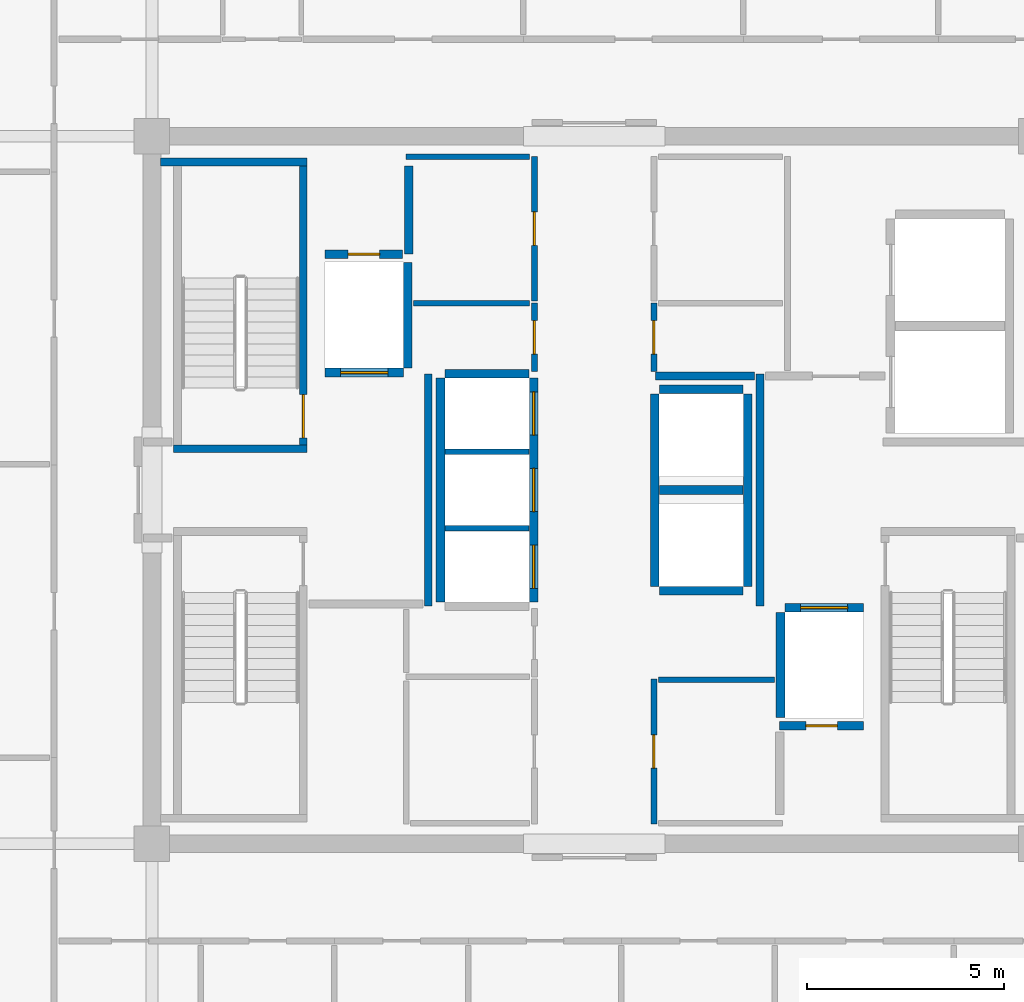
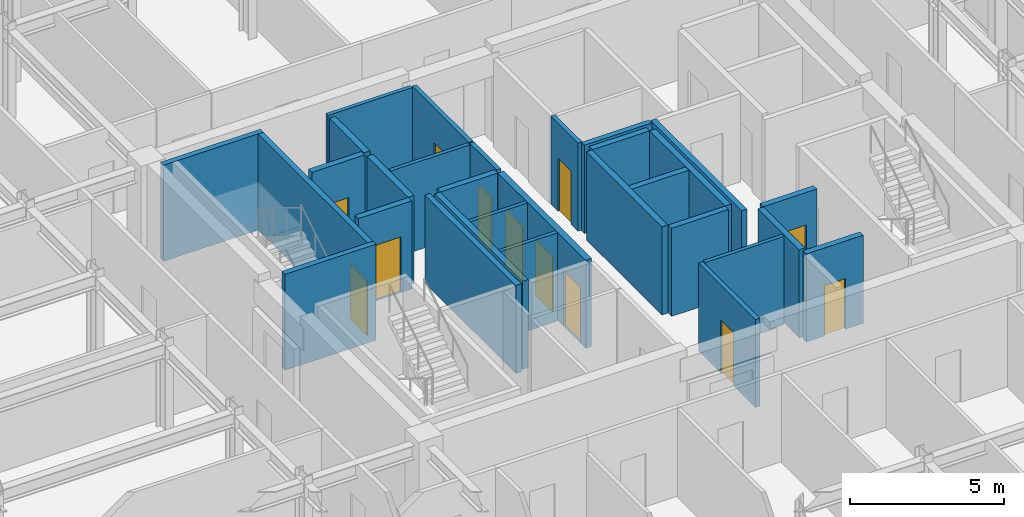
# One storey, part 14 of 18: 30 walls, 12 doors, 12 openings.
"""IFC4 building model written with IfcOpenShell, lengths in metres."""

import ifcopenshell
import ifcopenshell.guid

model = None  # the IFC model being written
_history = None  # IfcOwnerHistory: only IFC2X3 demands one
_inside = {}  # id of a spatial element -> (the spatial element, [elements in it])
_under = {}  # id of a project, library or spatial element -> (it, [spatial elements below it])
_declared = {}  # id of a project -> (the project, [libraries it declares])
_typed = {}  # id of a type object -> (the type object, [elements of that type])
_made_of = {}  # id of a material, layer set ... -> (it, [elements and type objects made of it])


def new_model(schema):
    """Start an empty IFC model of exactly this schema.

    Asked for "IFC4X3", IfcOpenShell would pick the latest addendum, in which some entities
    have other attributes; the version numbers below select the first issue.
    IFC2X3 requires an IfcOwnerHistory on every rooted entity: one is made here for all.
    """
    global model, _history
    if schema == "IFC4X3":
        model = ifcopenshell.file(schema_version=(4, 3, 0, 0))
    else:
        model = ifcopenshell.file(schema=schema)
    _inside.clear()
    _under.clear()
    _declared.clear()
    _typed.clear()
    _made_of.clear()
    _history = None
    if model.schema == "IFC2X3":
        org = make("IfcOrganization", Name="unknown")
        user = make(
            "IfcPersonAndOrganization",
            ThePerson=make("IfcPerson", FamilyName="unknown"),
            TheOrganization=org,
        )
        app = make(
            "IfcApplication",
            ApplicationDeveloper=org,
            Version="unknown",
            ApplicationFullName="unknown",
            ApplicationIdentifier="unknown",
        )
        _history = make(
            "IfcOwnerHistory",
            OwningUser=user,
            OwningApplication=app,
            ChangeAction="ADDED",
            CreationDate=0,
        )
    return model


def make(cls, **values):
    """One entity of the class cls with the attributes given. An attribute that is None is left unset."""
    return model.create_entity(
        cls, **{name: value for name, value in values.items() if value is not None}
    )


def rooted(cls, **values):
    """An entity with a GlobalId (a new one), such as an element, a storey or a relation."""
    return make(cls, GlobalId=ifcopenshell.guid.new(), OwnerHistory=_history, **values)


def si_unit(unit_type, name, prefix=None):
    """IfcSIUnit, for example si_unit("LENGTHUNIT", "METRE", prefix="MILLI")."""
    return make("IfcSIUnit", UnitType=unit_type, Prefix=prefix, Name=name)


def assignment(units):
    """IfcUnitAssignment: the units of a project."""
    return None if units is None else make("IfcUnitAssignment", Units=units)


def point(xyz):
    """IfcCartesianPoint."""
    return None if xyz is None else make("IfcCartesianPoint", Coordinates=xyz)


def direction(xyz):
    """IfcDirection."""
    return None if xyz is None else make("IfcDirection", DirectionRatios=xyz)


def frame(location, z_axis=None, x_axis=None):
    """IfcAxis2Placement3D, a coordinate frame: its origin and axes. An axis left out is left unset."""
    return make(
        "IfcAxis2Placement3D",
        Location=point(location),
        Axis=direction(z_axis),
        RefDirection=direction(x_axis),
    )


def frame_2d(location, x_axis=None):
    """IfcAxis2Placement2D, a coordinate frame in the plane: its origin and x axis."""
    return make(
        "IfcAxis2Placement2D", Location=point(location), RefDirection=direction(x_axis)
    )


def origin():
    """The frame at (0, 0, 0) with its axes left unset."""
    return frame((0.0, 0.0, 0.0))


def place(relative_to, where):
    """IfcLocalPlacement: puts the frame where relative to a parent placement (None: the world)."""
    return make(
        "IfcLocalPlacement", PlacementRelTo=relative_to, RelativePlacement=where
    )


def context(
    kind, dimensions, precision=None, world=None, true_north=None, identifier=None
):
    """IfcGeometricRepresentationContext, for example the 3D "Model" context."""
    return make(
        "IfcGeometricRepresentationContext",
        ContextIdentifier=identifier,
        ContextType=kind,
        CoordinateSpaceDimension=dimensions,
        Precision=precision,
        WorldCoordinateSystem=world,
        TrueNorth=true_north,
    )


def subcontext(parent, identifier, kind, view, scale=None):
    """IfcGeometricRepresentationSubContext, for example "Body" below "Model"."""
    return make(
        "IfcGeometricRepresentationSubContext",
        ContextIdentifier=identifier,
        ContextType=kind,
        ParentContext=parent,
        TargetScale=scale,
        TargetView=view,
    )


def project(units=None, contexts=None):
    """IfcProject with its units and contexts."""
    return rooted(
        "IfcProject",
        Name="project",
        RepresentationContexts=contexts,
        UnitsInContext=assignment(units),
    )


def spatial(cls, under=None, at=None, **own):
    """A site, building, storey or space (cls), placed at a placement, below another one or the project."""
    s = rooted(cls, ObjectPlacement=at, **own)
    if under is not None:
        _under.setdefault(under.id(), (under, []))[1].append(s)
    return s


def profile(cls, at=None, kind="AREA", **sizes):
    """A parametric profile (cls). Its sizes go by their IFC names, for example OverallWidth=200.0."""
    return make(cls, ProfileType=kind, Position=at, **sizes)


def rectangle(**sizes):
    """IfcRectangleProfileDef."""
    return profile("IfcRectangleProfileDef", **sizes)


def extrude(swept, where, along, depth):
    """IfcExtrudedAreaSolid: the profile swept, set in the frame where, extruded along a direction by depth."""
    return make(
        "IfcExtrudedAreaSolid",
        SweptArea=swept,
        Position=where,
        ExtrudedDirection=direction(along),
        Depth=depth,
    )


def shape(context_of_items, identifier, shape_type, items):
    """IfcShapeRepresentation: the items that make up one representation, for example the "Body"."""
    return make(
        "IfcShapeRepresentation",
        ContextOfItems=context_of_items,
        RepresentationIdentifier=identifier,
        RepresentationType=shape_type,
        Items=items,
    )


def source(mapping_origin, context_of_items, identifier, shape_type, items):
    """IfcRepresentationMap: a shape defined once, which mapped items show again and again."""
    return make(
        "IfcRepresentationMap",
        MappingOrigin=mapping_origin,
        MappedRepresentation=shape(context_of_items, identifier, shape_type, items),
    )


def transform(
    local_origin,
    x_axis=None,
    y_axis=None,
    z_axis=None,
    scale=None,
    scale2=None,
    scale3=None,
    uniform=True,
):
    """IfcCartesianTransformationOperator3D, or its non-uniform kind. x_axis, y_axis, z_axis: its Axis1, 2, 3."""
    if uniform:
        return make(
            "IfcCartesianTransformationOperator3D",
            Axis1=direction(x_axis),
            Axis2=direction(y_axis),
            LocalOrigin=point(local_origin),
            Scale=scale,
            Axis3=direction(z_axis),
        )
    return make(
        "IfcCartesianTransformationOperator3DnonUniform",
        Axis1=direction(x_axis),
        Axis2=direction(y_axis),
        LocalOrigin=point(local_origin),
        Scale=scale,
        Axis3=direction(z_axis),
        Scale2=scale2,
        Scale3=scale3,
    )


def mapped(mapping_source, mapping_target):
    """IfcMappedItem: shows the shape of a source again, moved by a transform."""
    return make(
        "IfcMappedItem", MappingSource=mapping_source, MappingTarget=mapping_target
    )


def material(Name=None, Category=None):
    """IfcMaterial."""
    return make("IfcMaterial", Name=Name, Category=Category)


def layer(
    of_material, thickness, ventilated=None, Name=None, Category=None, Priority=None
):
    """IfcMaterialLayer: one layer of a wall or slab, of a material (None: an air gap)."""
    return make(
        "IfcMaterialLayer",
        Material=of_material,
        LayerThickness=thickness,
        IsVentilated=ventilated,
        Name=Name,
        Category=Category,
        Priority=Priority,
    )


def layer_set(layers, Name=None):
    """IfcMaterialLayerSet."""
    return make("IfcMaterialLayerSet", MaterialLayers=layers, LayerSetName=Name)


def made_of(thing, what):
    """Note that an element or type object is made of a material, layer set ...; save() writes the relation."""
    if what is not None:
        _made_of.setdefault(what.id(), (what, []))[1].append(thing)
    return thing


def type_object(cls, material=None, **own):
    """A type object (cls), such as IfcWallType, which elements share."""
    return made_of(rooted(cls, **own), material)


def element(
    cls,
    number,
    at=None,
    inside=None,
    cuts=None,
    type_object=None,
    material=None,
    context=None,
    identifier="Body",
    shape_type=None,
    held_by="IfcProductDefinitionShape",
    body=None,
    shapes=None,
    **own,
):
    """One element of the class cls, such as IfcWall. Its Tag is "e" and its number.

    at: its placement. inside: the storey or other place that contains it. cuts: it is an
    opening in that element (IfcRelVoidsElement). A single representation is given by context,
    identifier, shape_type and body (its items); several are given by shapes. held_by: the class
    of the entity that holds the representations. save() writes the other relations.
    """
    e = rooted(cls, Tag="e%d" % number, ObjectPlacement=at, **own)
    if body is not None:
        shapes = [shape(context, identifier, shape_type, body)]
    if shapes is not None:
        e.Representation = make(held_by, Representations=shapes)
    if inside is not None:
        _inside.setdefault(inside.id(), (inside, []))[1].append(e)
    if cuts is not None:
        rooted(
            "IfcRelVoidsElement", RelatingBuildingElement=cuts, RelatedOpeningElement=e
        )
    if type_object is not None:
        _typed.setdefault(type_object.id(), (type_object, []))[1].append(e)
    return made_of(e, material)


def fill(opening, filler):
    """IfcRelFillsElement: the door or window that sits in an opening."""
    return rooted(
        "IfcRelFillsElement",
        RelatingOpeningElement=opening,
        RelatedBuildingElement=filler,
    )


def aggregate(whole, parts):
    """IfcRelAggregates: a whole, such as a stair, and the parts it consists of."""
    return rooted("IfcRelAggregates", RelatingObject=whole, RelatedObjects=parts)


def save(model, path):
    """Write the relations noted so far, then the file.

    IfcRelAggregates (storeys below a building ...), IfcRelContainedInSpatialStructure (elements
    in a storey), IfcRelDefinesByType, IfcRelAssociatesMaterial and IfcRelDeclares: one each for
    every whole, place, type object, material and project.
    """
    for whole, parts in _under.values():
        aggregate(whole, parts)
    for where, things in _inside.values():
        rooted(
            "IfcRelContainedInSpatialStructure",
            RelatedElements=things,
            RelatingStructure=where,
        )
    for kind, things in _typed.values():
        rooted("IfcRelDefinesByType", RelatedObjects=things, RelatingType=kind)
    for what, things in _made_of.values():
        rooted("IfcRelAssociatesMaterial", RelatedObjects=things, RelatingMaterial=what)
    for by, libraries in _declared.values():
        rooted("IfcRelDeclares", RelatingContext=by, RelatedDefinitions=libraries)
    model.write(path)


model = new_model("IFC4")

# Units and contexts
model_context = context("Model", 3, precision=1e-05, world=origin(), true_north=direction((0.0, 1.0)))
body_context = subcontext(model_context, "Body", "Model", "MODEL_VIEW")
ifc_project = project(units=[si_unit("LENGTHUNIT", "METRE"), si_unit("AREAUNIT", "SQUARE_METRE"), si_unit("VOLUMEUNIT", "CUBIC_METRE"), si_unit("PLANEANGLEUNIT", "RADIAN"), si_unit("MASSUNIT", "GRAM", prefix="KILO")], contexts=[model_context])

# Site, building, storey
site_placement = place(None, origin())
site = spatial("IfcSite", under=ifc_project, at=site_placement, CompositionType="ELEMENT")
building_placement = place(site_placement, origin())
building = spatial("IfcBuilding", under=site, at=building_placement, Name="Nefas-Gora Pilgrimage Tower", CompositionType="ELEMENT")
storey_placement = place(building_placement, frame((0.0, 0.0, 314.0)))
storey = spatial("IfcBuildingStorey", under=building, at=storey_placement, Name="L79", CompositionType="ELEMENT", Elevation=314.0)

# Wall
ifc_material_1 = material(Name="Concrete C45/55", Category="concrete")
ifc_layer_1 = layer(ifc_material_1, 0.199951171875)
ifc_layer_set_1 = layer_set([ifc_layer_1], Name="Concrete C45/55")
wall_type_1 = type_object("IfcWallType", Name="IW-STAIR-200", PredefinedType="SOLIDWALL", material=ifc_layer_set_1)
shared_shape_1 = source(origin(), body_context, "Body", "SweptSolid", [
    extrude(rectangle(XDim=3.39990234375, YDim=0.199951171875, at=frame_2d((1.699951171875, 0.0))), origin(), (0.0, 0.0, 1.0), 3.800048828125),
])
wall_1_placement = place(storey_placement, frame((-7.300048828125, 1.050048828125, 0.0), z_axis=(0.0, 0.0, 1.0), x_axis=(-1.0, 0.0, 0.0)))
element("IfcWall", 1, at=wall_1_placement, inside=storey, type_object=wall_type_1, Name="L79 Stairwell Shear Wall ST-01-near", PredefinedType="SOLIDWALL", context=body_context, shape_type="MappedRepresentation", body=[
    mapped(shared_shape_1, transform((0.0, 0.0, 0.0), x_axis=(1.0, 0.0, 0.0), y_axis=(0.0, 1.0, 0.0), z_axis=(0.0, 0.0, 1.0), scale=1.0)),
])

# Wall, opening, door
shared_shape_2 = source(origin(), body_context, "Body", "SweptSolid", [
    extrude(rectangle(XDim=7.10009765625, YDim=0.199951171875, at=frame_2d((3.550048828125, 0.0))), origin(), (0.0, 0.0, 1.0), 3.800048828125),
])
wall_2_placement = place(storey_placement, frame((-7.39990234375, 1.14990234375, 0.0), z_axis=(0.0, 0.0, 1.0), x_axis=(0.0, 1.0, 0.0)))
wall_2 = element("IfcWall", 2, at=wall_2_placement, inside=storey, type_object=wall_type_1, Name="L79 Stairwell Shear Wall ST-01-left", PredefinedType="SOLIDWALL", context=body_context, shape_type="MappedRepresentation", body=[
    mapped(shared_shape_2, transform((0.0, 0.0, 0.0), x_axis=(1.0, 0.0, 0.0), y_axis=(0.0, 1.0, 0.0), z_axis=(0.0, 0.0, 1.0), scale=1.0)),
])
opening_1_placement = place(wall_2_placement, frame((0.179931640625, 0.0, 0.0)))
opening_1 = element("IfcOpeningElement", 3, at=opening_1_placement, cuts=wall_2, Name="Opening ID-ST1", PredefinedType="OPENING", context=body_context, shape_type="SweptSolid", body=[
    extrude(rectangle(XDim=1.10009765625, YDim=2.14990234375, at=frame_2d((0.550048828125, 1.074951171875))), frame((0.0, 0.10986328125, 0.0), z_axis=(0.0, -1.0, 0.0), x_axis=(1.0, 0.0, 0.0)), (0.0, 0.0, 1.0), 0.219970703125),
])
ifc_material_2 = material(Name="Painted galvanised steel fire stair door", Category="steel")
door_type_1 = type_object("IfcDoorType", Name="DR-INT-STAIR-1100", OperationType="NOTDEFINED", PredefinedType="DOOR", material=ifc_material_2)
shared_shape_3 = source(origin(), body_context, "Body", "SweptSolid", [
    extrude(rectangle(XDim=1.10009765625, YDim=2.14990234375, at=frame_2d((0.550048828125, 1.074951171875))), frame((0.0, 0.02490234375, 0.0), z_axis=(0.0, -1.0, 0.0), x_axis=(1.0, 0.0, 0.0)), (0.0, 0.0, 1.0), 0.050048828125),
])
door_1_placement = place(opening_1_placement, origin())
door_1 = element("IfcDoor", 4, at=door_1_placement, inside=storey, type_object=door_type_1, Name="L79 Protected Exit Stair Door ST-01", OperationType="SINGLE_SWING_LEFT", OverallHeight=2.14990234375, OverallWidth=1.10009765625, PredefinedType="DOOR", context=body_context, shape_type="MappedRepresentation", body=[
    mapped(shared_shape_3, transform((0.0, 0.0, 0.0), x_axis=(1.0, 0.0, 0.0), y_axis=(0.0, 1.0, 0.0), z_axis=(0.0, 0.0, 1.0), scale=1.0)),
])
fill(opening_1, door_1)

# Wall
shared_shape_4 = source(origin(), body_context, "Body", "SweptSolid", [
    extrude(rectangle(XDim=3.72998046875, YDim=0.199951171875, at=frame_2d((1.864990234375, 0.0))), origin(), (0.0, 0.0, 1.0), 3.800048828125),
])
wall_3_placement = place(storey_placement, frame((-7.300048828125, 8.35009765625, 0.0), z_axis=(0.0, 0.0, 1.0), x_axis=(-1.0, 0.0, 0.0)))
element("IfcWall", 5, at=wall_3_placement, inside=storey, type_object=wall_type_1, Name="L79 Stairwell Shear Wall ST-01-far", PredefinedType="SOLIDWALL", context=body_context, shape_type="MappedRepresentation", body=[
    mapped(shared_shape_4, transform((0.0, 0.0, 0.0), x_axis=(1.0, 0.0, 0.0), y_axis=(0.0, 1.0, 0.0), z_axis=(0.0, 0.0, 1.0), scale=1.0)),
])

# Wall, opening, door
ifc_material_3 = material(Name="Concrete C40/50", Category="concrete")
ifc_layer_2 = layer(ifc_material_3, 0.219970703125)
ifc_layer_set_2 = layer_set([ifc_layer_2], Name="Concrete C40/50")
wall_type_2 = type_object("IfcWallType", Name="IW-SHAFT-220", PredefinedType="SOLIDWALL", material=ifc_layer_set_2)
shared_shape_5 = source(origin(), body_context, "Body", "SweptSolid", [
    extrude(rectangle(XDim=2.0, YDim=0.219970703125, at=frame_2d((1.0, 0.0))), origin(), (0.0, 0.0, 1.0), 3.485107421875),
])
wall_4_placement = place(storey_placement, frame((-6.85009765625, 2.989990234375, 0.0), z_axis=(0.0, 0.0, 1.0), x_axis=(1.0, 0.0, 0.0)))
wall_4 = element("IfcWall", 6, at=wall_4_placement, inside=storey, type_object=wall_type_2, Name="L79 Hoistway Wall FFL-01-S", PredefinedType="SOLIDWALL", context=body_context, shape_type="MappedRepresentation", body=[
    mapped(shared_shape_5, transform((0.0, 0.0, 0.0), x_axis=(1.0, 0.0, 0.0), y_axis=(0.0, 1.0, 0.0), z_axis=(0.0, 0.0, 1.0), scale=1.0)),
])
opening_2_placement = place(wall_4_placement, frame((0.39990234375, 0.0, 0.0)))
opening_2 = element("IfcOpeningElement", 7, at=opening_2_placement, cuts=wall_4, Name="Opening LD-FF", PredefinedType="OPENING", context=body_context, shape_type="SweptSolid", body=[
    extrude(rectangle(XDim=1.199951171875, YDim=2.199951171875, at=frame_2d((0.60009765625, 1.10009765625))), frame((0.0, 0.119873046875, 0.0), z_axis=(0.0, -1.0, 0.0), x_axis=(1.0, 0.0, 0.0)), (0.0, 0.0, 1.0), 0.239990234375),
])
ifc_material_4 = material(Name="Fire-service sliding lift landing door")
door_type_2 = type_object("IfcDoorType", Name="DR-LIFT-FSAE-1200", OperationType="SLIDING_TO_LEFT", PredefinedType="DOOR", material=ifc_material_4)
shared_shape_6 = source(origin(), body_context, "Body", "SweptSolid", [
    extrude(rectangle(XDim=1.199951171875, YDim=2.199951171875, at=frame_2d((0.60009765625, 1.10009765625))), frame((0.0, 0.02490234375, 0.0), z_axis=(0.0, -1.0, 0.0), x_axis=(1.0, 0.0, 0.0)), (0.0, 0.0, 1.0), 0.050048828125),
])
door_2_placement = place(opening_2_placement, origin())
door_2 = element("IfcDoor", 8, at=door_2_placement, inside=storey, type_object=door_type_2, Name="L79 Sliding Lift Landing Door FFL-01", OperationType="SLIDING_TO_LEFT", OverallHeight=2.199951171875, OverallWidth=1.199951171875, PredefinedType="DOOR", context=body_context, shape_type="MappedRepresentation", body=[
    mapped(shared_shape_6, transform((0.0, 0.0, 0.0), x_axis=(1.0, 0.0, 0.0), y_axis=(0.0, 1.0, 0.0), z_axis=(0.0, 0.0, 1.0), scale=1.0)),
])
fill(opening_2, door_2)

wall_5_placement = place(storey_placement, frame((6.85009765625, -2.989990234375, 0.0), z_axis=(0.0, 0.0, 1.0), x_axis=(-1.0, 0.0, 0.0)))
wall_5 = element("IfcWall", 9, at=wall_5_placement, inside=storey, type_object=wall_type_2, Name="L79 Hoistway Wall FFL-02-N", PredefinedType="SOLIDWALL", context=body_context, shape_type="MappedRepresentation", body=[
    mapped(shared_shape_5, transform((0.0, 0.0, 0.0), x_axis=(1.0, 0.0, 0.0), y_axis=(0.0, 1.0, 0.0), z_axis=(0.0, 0.0, 1.0), scale=1.0)),
])
opening_3_placement = place(wall_5_placement, frame((0.39990234375, 0.0, 0.0)))
opening_3 = element("IfcOpeningElement", 10, at=opening_3_placement, cuts=wall_5, Name="Opening LD-FF", PredefinedType="OPENING", context=body_context, shape_type="SweptSolid", body=[
    extrude(rectangle(XDim=1.199951171875, YDim=2.199951171875, at=frame_2d((0.60009765625, 1.10009765625))), frame((0.0, 0.119873046875, 0.0), z_axis=(0.0, -1.0, 0.0), x_axis=(1.0, 0.0, 0.0)), (0.0, 0.0, 1.0), 0.239990234375),
])
door_3_placement = place(opening_3_placement, origin())
door_3 = element("IfcDoor", 11, at=door_3_placement, inside=storey, type_object=door_type_2, Name="L79 Sliding Lift Landing Door FFL-02", OperationType="SLIDING_TO_LEFT", OverallHeight=2.199951171875, OverallWidth=1.199951171875, PredefinedType="DOOR", context=body_context, shape_type="MappedRepresentation", body=[
    mapped(shared_shape_6, transform((0.0, 0.0, 0.0), x_axis=(1.0, 0.0, 0.0), y_axis=(0.0, 1.0, 0.0), z_axis=(0.0, 0.0, 1.0), scale=1.0)),
])
fill(opening_3, door_3)

# Walls
shared_shape_7 = source(origin(), body_context, "Body", "SweptSolid", [
    extrude(rectangle(XDim=2.679931640625, YDim=0.219970703125, at=frame_2d((1.33984375, 0.0))), origin(), (0.0, 0.0, 1.0), 3.485107421875),
])
for number, where, z_axis, x_axis, name in (
    (12, (-4.739990234375, 3.110107421875, 0.0), (0.0, 0.0, 1.0), (0.0, 1.0, 0.0), "L79 Hoistway Wall FFL-01-E"),
    (13, (4.739990234375, -3.110107421875, 0.0), (0.0, 0.0, 1.0), (0.0, -1.0, 0.0), "L79 Hoistway Wall FFL-02-W"),
):
    element("IfcWall", number, at=place(storey_placement, frame(where, z_axis=z_axis, x_axis=x_axis)), inside=storey, type_object=wall_type_2, Name=name, PredefinedType="SOLIDWALL", context=body_context, shape_type="MappedRepresentation", body=[
        mapped(shared_shape_7, transform((0.0, 0.0, 0.0), x_axis=(1.0, 0.0, 0.0), y_axis=(0.0, 1.0, 0.0), z_axis=(0.0, 0.0, 1.0), scale=1.0)),
    ])

# Wall, openings, doors
shared_shape_8 = source(origin(), body_context, "Body", "SweptSolid", [
    extrude(rectangle(XDim=5.7001953125, YDim=0.219970703125, at=frame_2d((2.85009765625, 0.0))), origin(), (0.0, 0.0, 1.0), 3.485107421875),
])
wall_6_placement = place(storey_placement, frame((-1.5400390625, -2.85009765625, 0.0), z_axis=(0.0, 0.0, 1.0), x_axis=(0.0, 1.0, 0.0)))
wall_6 = element("IfcWall", 14, at=wall_6_placement, inside=storey, type_object=wall_type_2, Name="L79 Hoistway Wall PL3-01-03-E", PredefinedType="SOLIDWALL", context=body_context, shape_type="MappedRepresentation", body=[
    mapped(shared_shape_8, transform((0.0, 0.0, 0.0), x_axis=(1.0, 0.0, 0.0), y_axis=(0.0, 1.0, 0.0), z_axis=(0.0, 0.0, 1.0), scale=1.0)),
])
opening_4_placement = place(wall_6_placement, frame((0.35009765625, 0.0, 0.0)))
opening_4 = element("IfcOpeningElement", 15, at=opening_4_placement, cuts=wall_6, Name="Opening LD-01", PredefinedType="OPENING", context=body_context, shape_type="SweptSolid", body=[
    extrude(rectangle(XDim=1.10009765625, YDim=2.199951171875, at=frame_2d((0.550048828125, 1.10009765625))), frame((0.0, 0.119873046875, 0.0), z_axis=(0.0, -1.0, 0.0), x_axis=(1.0, 0.0, 0.0)), (0.0, 0.0, 1.0), 0.239990234375),
])
opening_5_placement = place(wall_6_placement, frame((2.300048828125, 0.0, 0.0)))
opening_5 = element("IfcOpeningElement", 16, at=opening_5_placement, cuts=wall_6, Name="Opening LD-01", PredefinedType="OPENING", context=body_context, shape_type="SweptSolid", body=[
    extrude(rectangle(XDim=1.10009765625, YDim=2.199951171875, at=frame_2d((0.550048828125, 1.10009765625))), frame((0.0, 0.119873046875, 0.0), z_axis=(0.0, -1.0, 0.0), x_axis=(1.0, 0.0, 0.0)), (0.0, 0.0, 1.0), 0.239990234375),
])
opening_6_placement = place(wall_6_placement, frame((4.25, 0.0, 0.0)))
opening_6 = element("IfcOpeningElement", 17, at=opening_6_placement, cuts=wall_6, Name="Opening LD-01", PredefinedType="OPENING", context=body_context, shape_type="SweptSolid", body=[
    extrude(rectangle(XDim=1.10009765625, YDim=2.199951171875, at=frame_2d((0.550048828125, 1.10009765625))), frame((0.0, 0.119873046875, 0.0), z_axis=(0.0, -1.0, 0.0), x_axis=(1.0, 0.0, 0.0)), (0.0, 0.0, 1.0), 0.239990234375),
])
ifc_material_5 = material(Name="Brushed stainless sliding lift landing door")
door_type_3 = type_object("IfcDoorType", Name="DR-LIFT-PASS-1100", OperationType="DOUBLE_DOOR_SLIDING", PredefinedType="DOOR", material=ifc_material_5)
shared_shape_9 = source(origin(), body_context, "Body", "SweptSolid", [
    extrude(rectangle(XDim=1.10009765625, YDim=2.199951171875, at=frame_2d((0.550048828125, 1.10009765625))), frame((0.0, 0.02490234375, 0.0), z_axis=(0.0, -1.0, 0.0), x_axis=(1.0, 0.0, 0.0)), (0.0, 0.0, 1.0), 0.050048828125),
])
door_4_placement = place(opening_4_placement, origin())
door_4 = element("IfcDoor", 18, at=door_4_placement, inside=storey, type_object=door_type_3, Name="L79 Sliding Lift Landing Door PL3-01", OperationType="DOUBLE_DOOR_SLIDING", OverallHeight=2.199951171875, OverallWidth=1.10009765625, PredefinedType="DOOR", context=body_context, shape_type="MappedRepresentation", body=[
    mapped(shared_shape_9, transform((0.0, 0.0, 0.0), x_axis=(1.0, 0.0, 0.0), y_axis=(0.0, 1.0, 0.0), z_axis=(0.0, 0.0, 1.0), scale=1.0)),
])
fill(opening_4, door_4)
door_5_placement = place(opening_5_placement, origin())
door_5 = element("IfcDoor", 19, at=door_5_placement, inside=storey, type_object=door_type_3, Name="L79 Sliding Lift Landing Door PL3-02", OperationType="DOUBLE_DOOR_SLIDING", OverallHeight=2.199951171875, OverallWidth=1.10009765625, PredefinedType="DOOR", context=body_context, shape_type="MappedRepresentation", body=[
    mapped(shared_shape_9, transform((0.0, 0.0, 0.0), x_axis=(1.0, 0.0, 0.0), y_axis=(0.0, 1.0, 0.0), z_axis=(0.0, 0.0, 1.0), scale=1.0)),
])
fill(opening_5, door_5)
door_6_placement = place(opening_6_placement, origin())
door_6 = element("IfcDoor", 20, at=door_6_placement, inside=storey, type_object=door_type_3, Name="L79 Sliding Lift Landing Door PL3-03", OperationType="DOUBLE_DOOR_SLIDING", OverallHeight=2.199951171875, OverallWidth=1.10009765625, PredefinedType="DOOR", context=body_context, shape_type="MappedRepresentation", body=[
    mapped(shared_shape_9, transform((0.0, 0.0, 0.0), x_axis=(1.0, 0.0, 0.0), y_axis=(0.0, 1.0, 0.0), z_axis=(0.0, 0.0, 1.0), scale=1.0)),
])
fill(opening_6, door_6)

# Walls
wall_7_placement = place(storey_placement, frame((-3.909912109375, 2.85009765625, 0.0), z_axis=(0.0, 0.0, 1.0), x_axis=(0.0, -1.0, 0.0)))
element("IfcWall", 21, at=wall_7_placement, inside=storey, type_object=wall_type_2, Name="L79 Hoistway Wall PL3-01-03-W", PredefinedType="SOLIDWALL", context=body_context, shape_type="MappedRepresentation", body=[
    mapped(shared_shape_8, transform((0.0, 0.0, 0.0), x_axis=(1.0, 0.0, 0.0), y_axis=(0.0, 1.0, 0.0), z_axis=(0.0, 0.0, 1.0), scale=1.0)),
])
shared_shape_10 = source(origin(), body_context, "Body", "SweptSolid", [
    extrude(rectangle(XDim=2.130126953125, YDim=0.219970703125, at=frame_2d((1.06494140625, 0.0))), origin(), (0.0, 0.0, 1.0), 3.485107421875),
])
for number, where, z_axis, x_axis, name in (
    (22, (-1.659912109375, 2.9599609375, 0.0), (0.0, 0.0, 1.0), (-1.0, 0.0, 0.0), "L79 Hoistway Wall PL3-03-N"),
    (23, (1.659912109375, -2.56005859375, 0.0), (0.0, 0.0, 1.0), (1.0, 0.0, 0.0), "L79 Hoistway Wall OBS-01-S"),
    (24, (1.659912109375, 0.0, 0.0), (0.0, 0.0, 1.0), (1.0, 0.0, 0.0), "L79 Hoistway Wall OBS-01-02-DIV"),
    (25, (3.7900390625, 2.56005859375, 0.0), (0.0, 0.0, 1.0), (-1.0, 0.0, 0.0), "L79 Hoistway Wall OBS-02-N"),
):
    element("IfcWall", number, at=place(storey_placement, frame(where, z_axis=z_axis, x_axis=x_axis)), inside=storey, type_object=wall_type_2, Name=name, PredefinedType="SOLIDWALL", context=body_context, shape_type="MappedRepresentation", body=[
        mapped(shared_shape_10, transform((0.0, 0.0, 0.0), x_axis=(1.0, 0.0, 0.0), y_axis=(0.0, 1.0, 0.0), z_axis=(0.0, 0.0, 1.0), scale=1.0)),
    ])

# Wall, opening, door
wall_8_placement = place(storey_placement, frame((4.719970703125, -6.0, 0.0), z_axis=(0.0, 0.0, 1.0), x_axis=(1.0, 0.0, 0.0)))
wall_8 = element("IfcWall", 26, at=wall_8_placement, inside=storey, type_object=wall_type_2, Name="L79 Riser Shaft Wall 3", PredefinedType="SOLIDWALL", context=body_context, shape_type="MappedRepresentation", body=[
    mapped(shared_shape_10, transform((0.0, 0.0, 0.0), x_axis=(1.0, 0.0, 0.0), y_axis=(0.0, 1.0, 0.0), z_axis=(0.0, 0.0, 1.0), scale=1.0)),
])
opening_7_placement = place(wall_8_placement, frame((0.6650390625, 0.0, 0.0)))
opening_7 = element("IfcOpeningElement", 27, at=opening_7_placement, cuts=wall_8, Name="Opening ID-TR1", PredefinedType="OPENING", context=body_context, shape_type="SweptSolid", body=[
    extrude(rectangle(XDim=0.800048828125, YDim=2.0, at=frame_2d((0.39990234375, 1.0))), frame((0.0, 0.119873046875, 0.0), z_axis=(0.0, -1.0, 0.0), x_axis=(1.0, 0.0, 0.0)), (0.0, 0.0, 1.0), 0.239990234375),
])
ifc_material_6 = material(Name="Riser maintenance fire access door")
door_type_4 = type_object("IfcDoorType", Name="DR-INT-TRAP-800", OperationType="NOTDEFINED", PredefinedType="TRAPDOOR", material=ifc_material_6)
shared_shape_11 = source(origin(), body_context, "Body", "SweptSolid", [
    extrude(rectangle(XDim=0.800048828125, YDim=2.0, at=frame_2d((0.39990234375, 1.0))), frame((0.0, 0.02490234375, 0.0), z_axis=(0.0, -1.0, 0.0), x_axis=(1.0, 0.0, 0.0)), (0.0, 0.0, 1.0), 0.050048828125),
])
door_7_placement = place(opening_7_placement, origin())
door_7 = element("IfcDoor", 28, at=door_7_placement, inside=storey, type_object=door_type_4, Name="L79 Riser Shaft Door 2", OperationType="SINGLE_SWING_LEFT", OverallHeight=2.0, OverallWidth=0.800048828125, PredefinedType="TRAPDOOR", context=body_context, shape_type="MappedRepresentation", body=[
    mapped(shared_shape_11, transform((0.0, 0.0, 0.0), x_axis=(1.0, 0.0, 0.0), y_axis=(0.0, 1.0, 0.0), z_axis=(0.0, 0.0, 1.0), scale=1.0)),
])
fill(opening_7, door_7)

# Walls
ifc_material_7 = material(Name="Gypsum twin-stud partition")
ifc_layer_3 = layer(ifc_material_7, 0.139892578125)
ifc_layer_set_3 = layer_set([ifc_layer_3], Name="Gypsum twin-stud partition")
wall_type_3 = type_object("IfcWallType", Name="IW-UNIT-140", PredefinedType="PARTITIONING", material=ifc_layer_set_3)
shared_shape_12 = source(origin(), body_context, "Body", "SweptSolid", [
    extrude(rectangle(XDim=2.130126953125, YDim=0.139892578125, at=frame_2d((1.06494140625, 0.0))), origin(), (0.0, 0.0, 1.0), 3.485107421875),
])
for number, where, z_axis, x_axis, name in (
    (29, (-3.7900390625, -0.97509765625, 0.0), (0.0, 0.0, 1.0), (1.0, 0.0, 0.0), "L79 Hoistway Wall PL3-01-02-DIV"),
    (30, (-3.7900390625, 0.97509765625, 0.0), (0.0, 0.0, 1.0), (1.0, 0.0, 0.0), "L79 Hoistway Wall PL3-02-03-DIV"),
):
    element("IfcWall", number, at=place(storey_placement, frame(where, z_axis=z_axis, x_axis=x_axis)), inside=storey, type_object=wall_type_3, Name=name, PredefinedType="PARTITIONING", context=body_context, shape_type="MappedRepresentation", body=[
        mapped(shared_shape_12, transform((0.0, 0.0, 0.0), x_axis=(1.0, 0.0, 0.0), y_axis=(0.0, 1.0, 0.0), z_axis=(0.0, 0.0, 1.0), scale=1.0)),
    ])
shared_shape_13 = source(origin(), body_context, "Body", "SweptSolid", [
    extrude(rectangle(XDim=4.89990234375, YDim=0.219970703125, at=frame_2d((2.449951171875, 0.0))), origin(), (0.0, 0.0, 1.0), 3.485107421875),
])
for number, where, z_axis, x_axis, name in (
    (31, (1.5400390625, 2.449951171875, 0.0), (0.0, 0.0, 1.0), (0.0, -1.0, 0.0), "L79 Hoistway Wall OBS-01-02-W"),
    (32, (3.909912109375, -2.449951171875, 0.0), (0.0, 0.0, 1.0), (0.0, 1.0, 0.0), "L79 Hoistway Wall OBS-01-02-E"),
):
    element("IfcWall", number, at=place(storey_placement, frame(where, z_axis=z_axis, x_axis=x_axis)), inside=storey, type_object=wall_type_2, Name=name, PredefinedType="SOLIDWALL", context=body_context, shape_type="MappedRepresentation", body=[
        mapped(shared_shape_13, transform((0.0, 0.0, 0.0), x_axis=(1.0, 0.0, 0.0), y_axis=(0.0, 1.0, 0.0), z_axis=(0.0, 0.0, 1.0), scale=1.0)),
    ])
ifc_material_8 = material(Name="Gypsum fire-rated shaftwall")
ifc_layer_4 = layer(ifc_material_8, 0.199951171875)
ifc_layer_set_4 = layer_set([ifc_layer_4], Name="Gypsum fire-rated shaftwall")
wall_type_4 = type_object("IfcWallType", Name="IW-FFLOB-200", PredefinedType="PARTITIONING", material=ifc_layer_set_4)
shared_shape_14 = source(origin(), body_context, "Body", "SweptSolid", [
    extrude(rectangle(XDim=5.89990234375, YDim=0.199951171875, at=frame_2d((2.949951171875, 0.0))), origin(), (0.0, 0.0, 1.0), 3.485107421875),
])
for number, where, z_axis, x_axis, name in (
    (33, (-4.219970703125, -2.949951171875, 0.0), (0.0, 0.0, 1.0), (0.0, 1.0, 0.0), "L79 FF Lobby West Inner Wall Wall 6"),
    (34, (4.219970703125, -2.949951171875, 0.0), (0.0, 0.0, 1.0), (0.0, 1.0, 0.0), "L79 FF Lobby East Inner Wall Wall 11"),
):
    element("IfcWall", number, at=place(storey_placement, frame(where, z_axis=z_axis, x_axis=x_axis)), inside=storey, type_object=wall_type_4, Name=name, PredefinedType="PARTITIONING", context=body_context, shape_type="MappedRepresentation", body=[
        mapped(shared_shape_14, transform((0.0, 0.0, 0.0), x_axis=(1.0, 0.0, 0.0), y_axis=(0.0, 1.0, 0.0), z_axis=(0.0, 0.0, 1.0), scale=1.0)),
    ])
shared_shape_15 = source(origin(), body_context, "Body", "SweptSolid", [
    extrude(rectangle(XDim=2.9501953125, YDim=0.139892578125, at=frame_2d((1.47509765625, 0.0))), origin(), (0.0, 0.0, 1.0), 3.485107421875),
])
for number, where, z_axis, x_axis, name in (
    (35, (-4.590087890625, 4.75, 0.0), (0.0, 0.0, 1.0), (1.0, 0.0, 0.0), "L79 Housekeeping and Linen Store Partition Wall 24"),
    (36, (1.639892578125, -4.820068359375, 0.0), (0.0, 0.0, 1.0), (1.0, 0.0, 0.0), "L79 High-Rise Tableware Store Partition Wall 38"),
):
    element("IfcWall", number, at=place(storey_placement, frame(where, z_axis=z_axis, x_axis=x_axis)), inside=storey, type_object=wall_type_3, Name=name, PredefinedType="PARTITIONING", context=body_context, shape_type="MappedRepresentation", body=[
        mapped(shared_shape_15, transform((0.0, 0.0, 0.0), x_axis=(1.0, 0.0, 0.0), y_axis=(0.0, 1.0, 0.0), z_axis=(0.0, 0.0, 1.0), scale=1.0)),
    ])
shared_shape_16 = source(origin(), body_context, "Body", "SweptSolid", [
    extrude(rectangle(XDim=3.150146484375, YDim=0.139892578125, at=frame_2d((1.5751953125, 0.0))), origin(), (0.0, 0.0, 1.0), 3.485107421875),
])
wall_9_placement = place(storey_placement, frame((-4.7900390625, 8.47998046875, 0.0), z_axis=(0.0, 0.0, 1.0), x_axis=(1.0, 0.0, 0.0)))
element("IfcWall", 37, at=wall_9_placement, inside=storey, type_object=wall_type_3, Name="L79 Archival Supply Store Partition Wall 26", PredefinedType="PARTITIONING", context=body_context, shape_type="MappedRepresentation", body=[
    mapped(shared_shape_16, transform((0.0, 0.0, 0.0), x_axis=(1.0, 0.0, 0.0), y_axis=(0.0, 1.0, 0.0), z_axis=(0.0, 0.0, 1.0), scale=1.0)),
])
shared_shape_17 = source(origin(), body_context, "Body", "SweptSolid", [
    extrude(rectangle(XDim=2.25, YDim=0.219970703125, at=frame_2d((1.125, 0.0))), origin(), (0.0, 0.0, 1.0), 3.485107421875),
])
wall_10_placement = place(storey_placement, frame((-4.719970703125, 6.0, 0.0), z_axis=(0.0, 0.0, 1.0), x_axis=(0.0, 1.0, 0.0)))
element("IfcWall", 38, at=wall_10_placement, inside=storey, type_object=wall_type_2, Name="L79 Riser Shaft Wall 1", PredefinedType="SOLIDWALL", context=body_context, shape_type="MappedRepresentation", body=[
    mapped(shared_shape_17, transform((0.0, 0.0, 0.0), x_axis=(1.0, 0.0, 0.0), y_axis=(0.0, 1.0, 0.0), z_axis=(0.0, 0.0, 1.0), scale=1.0)),
])

# Wall, opening, door
shared_shape_18 = source(origin(), body_context, "Body", "SweptSolid", [
    extrude(rectangle(XDim=1.97998046875, YDim=0.219970703125, at=frame_2d((0.989990234375, 0.0))), origin(), (0.0, 0.0, 1.0), 3.485107421875),
])
wall_11_placement = place(storey_placement, frame((-6.85009765625, 6.0, 0.0), z_axis=(0.0, 0.0, 1.0), x_axis=(1.0, 0.0, 0.0)))
wall_11 = element("IfcWall", 39, at=wall_11_placement, inside=storey, type_object=wall_type_2, Name="L79 Riser Shaft Wall 2", PredefinedType="SOLIDWALL", context=body_context, shape_type="MappedRepresentation", body=[
    mapped(shared_shape_18, transform((0.0, 0.0, 0.0), x_axis=(1.0, 0.0, 0.0), y_axis=(0.0, 1.0, 0.0), z_axis=(0.0, 0.0, 1.0), scale=1.0)),
])
opening_8_placement = place(wall_11_placement, frame((0.590087890625, 0.0, 0.0)))
opening_8 = element("IfcOpeningElement", 40, at=opening_8_placement, cuts=wall_11, Name="Opening ID-TR1", PredefinedType="OPENING", context=body_context, shape_type="SweptSolid", body=[
    extrude(rectangle(XDim=0.800048828125, YDim=2.0, at=frame_2d((0.39990234375, 1.0))), frame((0.0, 0.119873046875, 0.0), z_axis=(0.0, -1.0, 0.0), x_axis=(1.0, 0.0, 0.0)), (0.0, 0.0, 1.0), 0.239990234375),
])
door_8_placement = place(opening_8_placement, origin())
door_8 = element("IfcDoor", 41, at=door_8_placement, inside=storey, type_object=door_type_4, Name="L79 Riser Shaft Door 1", OperationType="SINGLE_SWING_RIGHT", OverallHeight=2.0, OverallWidth=0.800048828125, PredefinedType="TRAPDOOR", context=body_context, shape_type="MappedRepresentation", body=[
    mapped(shared_shape_11, transform((0.0, 0.0, 0.0), x_axis=(1.0, 0.0, 0.0), y_axis=(0.0, 1.0, 0.0), z_axis=(0.0, 0.0, 1.0), scale=1.0)),
])
fill(opening_8, door_8)

# Wall
shared_shape_19 = source(origin(), body_context, "Body", "SweptSolid", [
    extrude(rectangle(XDim=2.52001953125, YDim=0.199951171875, at=frame_2d((1.260009765625, 0.0))), origin(), (0.0, 0.0, 1.0), 3.485107421875),
])
wall_12_placement = place(storey_placement, frame((1.56005859375, 2.89990234375, 0.0), z_axis=(0.0, 0.0, 1.0), x_axis=(1.0, 0.0, 0.0)))
element("IfcWall", 42, at=wall_12_placement, inside=storey, type_object=wall_type_4, Name="L79 FF Lobby East North Wall Wall 12", PredefinedType="PARTITIONING", context=body_context, shape_type="MappedRepresentation", body=[
    mapped(shared_shape_19, transform((0.0, 0.0, 0.0), x_axis=(1.0, 0.0, 0.0), y_axis=(0.0, 1.0, 0.0), z_axis=(0.0, 0.0, 1.0), scale=1.0)),
])

# Wall, opening, door
ifc_material_9 = material(Name="Gypsum acoustic stud partition")
ifc_layer_5 = layer(ifc_material_9, 0.159912109375)
ifc_layer_set_5 = layer_set([ifc_layer_5], Name="Gypsum acoustic stud partition")
wall_type_5 = type_object("IfcWallType", Name="IW-CORR-160", PredefinedType="PARTITIONING", material=ifc_layer_set_5)
shared_shape_20 = source(origin(), body_context, "Body", "SweptSolid", [
    extrude(rectangle(XDim=1.75, YDim=0.159912109375, at=frame_2d((0.875, 0.0))), origin(), (0.0, 0.0, 1.0), 3.485107421875),
])
wall_13_placement = place(storey_placement, frame((-1.52001953125, 3.010009765625, 0.0), z_axis=(0.0, 0.0, 1.0), x_axis=(0.0, 1.0, 0.0)))
wall_13 = element("IfcWall", 43, at=wall_13_placement, inside=storey, type_object=wall_type_5, Name="L79 Housekeeping and Linen Store Wall 23", PredefinedType="PARTITIONING", context=body_context, shape_type="MappedRepresentation", body=[
    mapped(shared_shape_20, transform((0.0, 0.0, 0.0), x_axis=(1.0, 0.0, 0.0), y_axis=(0.0, 1.0, 0.0), z_axis=(0.0, 0.0, 1.0), scale=1.0)),
])
opening_9_placement = place(wall_13_placement, frame((0.449951171875, 0.0, 0.0)))
opening_9 = element("IfcOpeningElement", 44, at=opening_9_placement, cuts=wall_13, Name="Opening ID-BT1", PredefinedType="OPENING", context=body_context, shape_type="SweptSolid", body=[
    extrude(rectangle(XDim=0.85009765625, YDim=2.10009765625, at=frame_2d((0.425048828125, 1.050048828125))), frame((0.0, 0.08984375, 0.0), z_axis=(0.0, -1.0, 0.0), x_axis=(1.0, 0.0, 0.0)), (0.0, 0.0, 1.0), 0.179931640625),
])
ifc_material_10 = material(Name="Moisture-resistant fire-rated timber door", Category="wood")
door_type_5 = type_object("IfcDoorType", Name="DR-INT-BATH-850", OperationType="NOTDEFINED", PredefinedType="DOOR", material=ifc_material_10)
shared_shape_21 = source(origin(), body_context, "Body", "SweptSolid", [
    extrude(rectangle(XDim=0.85009765625, YDim=2.10009765625, at=frame_2d((0.425048828125, 1.050048828125))), frame((0.0, 0.02490234375, 0.0), z_axis=(0.0, -1.0, 0.0), x_axis=(1.0, 0.0, 0.0)), (0.0, 0.0, 1.0), 0.050048828125),
])
door_9_placement = place(opening_9_placement, origin())
door_9 = element("IfcDoor", 45, at=door_9_placement, inside=storey, type_object=door_type_5, Name="L79 Housekeeping and Linen Store Door 9", OperationType="SINGLE_SWING_RIGHT", OverallHeight=2.10009765625, OverallWidth=0.85009765625, PredefinedType="DOOR", context=body_context, shape_type="MappedRepresentation", body=[
    mapped(shared_shape_21, transform((0.0, 0.0, 0.0), x_axis=(1.0, 0.0, 0.0), y_axis=(0.0, 1.0, 0.0), z_axis=(0.0, 0.0, 1.0), scale=1.0)),
])
fill(opening_9, door_9)

wall_14_placement = place(storey_placement, frame((1.52001953125, 3.010009765625, 0.0), z_axis=(0.0, 0.0, 1.0), x_axis=(0.0, 1.0, 0.0)))
wall_14 = element("IfcWall", 46, at=wall_14_placement, inside=storey, type_object=wall_type_5, Name="L79 Clean Blanket and Robe Store Wall 27", PredefinedType="PARTITIONING", context=body_context, shape_type="MappedRepresentation", body=[
    mapped(shared_shape_20, transform((0.0, 0.0, 0.0), x_axis=(1.0, 0.0, 0.0), y_axis=(0.0, 1.0, 0.0), z_axis=(0.0, 0.0, 1.0), scale=1.0)),
])
opening_10_placement = place(wall_14_placement, frame((0.449951171875, 0.0, 0.0)))
opening_10 = element("IfcOpeningElement", 47, at=opening_10_placement, cuts=wall_14, Name="Opening ID-BT1", PredefinedType="OPENING", context=body_context, shape_type="SweptSolid", body=[
    extrude(rectangle(XDim=0.85009765625, YDim=2.10009765625, at=frame_2d((0.425048828125, 1.050048828125))), frame((0.0, 0.08984375, 0.0), z_axis=(0.0, -1.0, 0.0), x_axis=(1.0, 0.0, 0.0)), (0.0, 0.0, 1.0), 0.179931640625),
])
door_10_placement = place(opening_10_placement, origin())
door_10 = element("IfcDoor", 48, at=door_10_placement, inside=storey, type_object=door_type_5, Name="L79 Clean Blanket and Robe Store Door 11", OperationType="SINGLE_SWING_RIGHT", OverallHeight=2.10009765625, OverallWidth=0.85009765625, PredefinedType="DOOR", context=body_context, shape_type="MappedRepresentation", body=[
    mapped(shared_shape_21, transform((0.0, 0.0, 0.0), x_axis=(1.0, 0.0, 0.0), y_axis=(0.0, 1.0, 0.0), z_axis=(0.0, 0.0, 1.0), scale=1.0)),
])
fill(opening_10, door_10)

shared_shape_22 = source(origin(), body_context, "Body", "SweptSolid", [
    extrude(rectangle(XDim=3.679931640625, YDim=0.159912109375, at=frame_2d((1.83984375, 0.0))), origin(), (0.0, 0.0, 1.0), 3.485107421875),
])
wall_15_placement = place(storey_placement, frame((-1.52001953125, 4.81005859375, 0.0), z_axis=(0.0, 0.0, 1.0), x_axis=(0.0, 1.0, 0.0)))
wall_15 = element("IfcWall", 49, at=wall_15_placement, inside=storey, type_object=wall_type_5, Name="L79 Archival Supply Store Wall 25", PredefinedType="PARTITIONING", context=body_context, shape_type="MappedRepresentation", body=[
    mapped(shared_shape_22, transform((0.0, 0.0, 0.0), x_axis=(1.0, 0.0, 0.0), y_axis=(0.0, 1.0, 0.0), z_axis=(0.0, 0.0, 1.0), scale=1.0)),
])
opening_11_placement = place(wall_15_placement, frame((1.4150390625, 0.0, 0.0)))
opening_11 = element("IfcOpeningElement", 50, at=opening_11_placement, cuts=wall_15, Name="Opening ID-BT1", PredefinedType="OPENING", context=body_context, shape_type="SweptSolid", body=[
    extrude(rectangle(XDim=0.85009765625, YDim=2.10009765625, at=frame_2d((0.425048828125, 1.050048828125))), frame((0.0, 0.08984375, 0.0), z_axis=(0.0, -1.0, 0.0), x_axis=(1.0, 0.0, 0.0)), (0.0, 0.0, 1.0), 0.179931640625),
])
door_11_placement = place(opening_11_placement, origin())
door_11 = element("IfcDoor", 51, at=door_11_placement, inside=storey, type_object=door_type_5, Name="L79 Archival Supply Store Door 10", OperationType="SINGLE_SWING_LEFT", OverallHeight=2.10009765625, OverallWidth=0.85009765625, PredefinedType="DOOR", context=body_context, shape_type="MappedRepresentation", body=[
    mapped(shared_shape_21, transform((0.0, 0.0, 0.0), x_axis=(1.0, 0.0, 0.0), y_axis=(0.0, 1.0, 0.0), z_axis=(0.0, 0.0, 1.0), scale=1.0)),
])
fill(opening_11, door_11)

wall_16_placement = place(storey_placement, frame((1.52001953125, -8.489990234375, 0.0), z_axis=(0.0, 0.0, 1.0), x_axis=(0.0, 1.0, 0.0)))
wall_16 = element("IfcWall", 52, at=wall_16_placement, inside=storey, type_object=wall_type_5, Name="L79 High-Rise Tableware Store Wall 37", PredefinedType="PARTITIONING", context=body_context, shape_type="MappedRepresentation", body=[
    mapped(shared_shape_22, transform((0.0, 0.0, 0.0), x_axis=(1.0, 0.0, 0.0), y_axis=(0.0, 1.0, 0.0), z_axis=(0.0, 0.0, 1.0), scale=1.0)),
])
opening_12_placement = place(wall_16_placement, frame((1.4150390625, 0.0, 0.0)))
opening_12 = element("IfcOpeningElement", 53, at=opening_12_placement, cuts=wall_16, Name="Opening ID-BT1", PredefinedType="OPENING", context=body_context, shape_type="SweptSolid", body=[
    extrude(rectangle(XDim=0.85009765625, YDim=2.10009765625, at=frame_2d((0.425048828125, 1.050048828125))), frame((0.0, 0.08984375, 0.0), z_axis=(0.0, -1.0, 0.0), x_axis=(1.0, 0.0, 0.0)), (0.0, 0.0, 1.0), 0.179931640625),
])
door_12_placement = place(opening_12_placement, origin())
door_12 = element("IfcDoor", 54, at=door_12_placement, inside=storey, type_object=door_type_5, Name="L79 High-Rise Tableware Store Door 15", OperationType="SINGLE_SWING_RIGHT", OverallHeight=2.10009765625, OverallWidth=0.85009765625, PredefinedType="DOOR", context=body_context, shape_type="MappedRepresentation", body=[
    mapped(shared_shape_21, transform((0.0, 0.0, 0.0), x_axis=(1.0, 0.0, 0.0), y_axis=(0.0, 1.0, 0.0), z_axis=(0.0, 0.0, 1.0), scale=1.0)),
])
fill(opening_12, door_12)

save(model, "model.ifc")
